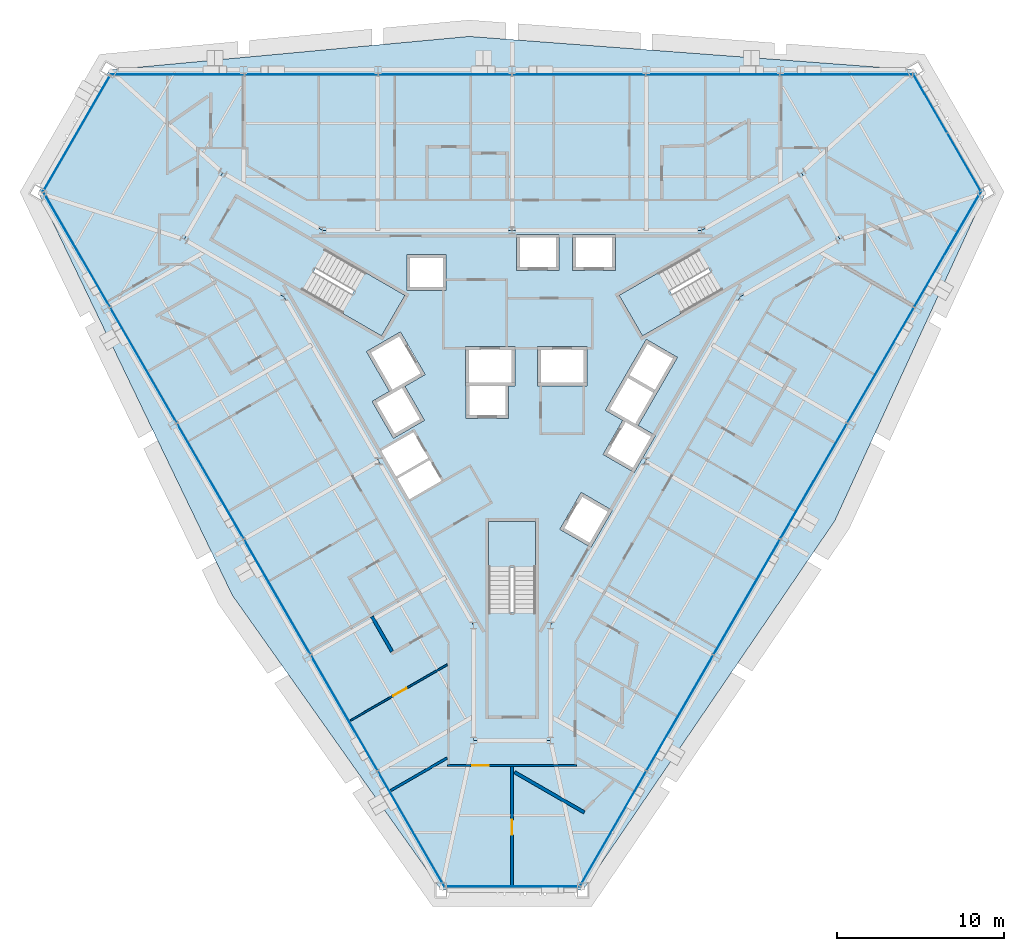
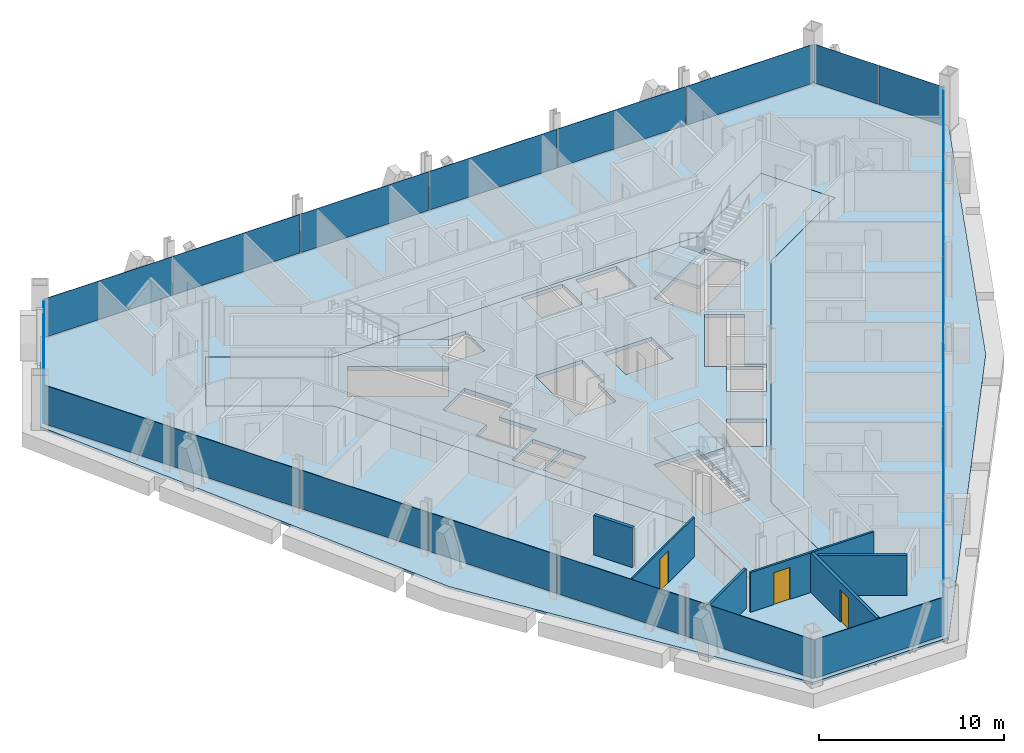
# One storey, part 9 of 16: 22 plates, 6 walls, 5 slabs, 3 doors, 3 openings, 9 elements without a shape of their own.
"""IFC4 building model written with IfcOpenShell, lengths in metres."""

from ifc_helpers import new_model, si_unit, direction, frame, frame_2d, origin, origin_2d, place, context, subcontext, project, spatial, polyline, rectangle, outline, extrude, material, layer, layer_set, type_object, element, fill, aggregate, save


model = new_model("IFC4")

# Units and contexts
model_context = context("Model", 3, precision=1e-05, world=origin(), true_north=direction((0.0, 1.0)))
body_context = subcontext(model_context, "Body", "Model", "MODEL_VIEW")
ifc_project = project(units=[si_unit("LENGTHUNIT", "METRE"), si_unit("AREAUNIT", "SQUARE_METRE"), si_unit("VOLUMEUNIT", "CUBIC_METRE"), si_unit("PLANEANGLEUNIT", "RADIAN"), si_unit("MASSUNIT", "GRAM", prefix="KILO")], contexts=[model_context])

# Site, building, storey
site_placement = place(None, origin())
site = spatial("IfcSite", under=ifc_project, at=site_placement, CompositionType="ELEMENT")
building_placement = place(site_placement, origin())
building = spatial("IfcBuilding", under=site, at=building_placement, Name="Verrane Prism Tower", CompositionType="ELEMENT")
storey_placement = place(building_placement, frame((0.0, 0.0, 110.800048828125)))
storey = spatial("IfcBuildingStorey", under=building, at=storey_placement, Name="L26", CompositionType="ELEMENT", Elevation=110.800048828125)

# Slabs
ifc_material_1 = material(Name="Concrete C35/45", Category="concrete")
ifc_layer_1 = layer(ifc_material_1, 0.159912109375)
ifc_layer_set_1 = layer_set([ifc_layer_1], Name="Composite floor slab")
slab_type_1 = type_object("IfcSlabType", Name="Composite floor slab", PredefinedType="FLOOR", material=ifc_layer_set_1)
slab_1_placement = place(storey_placement, frame((0.0, 0.0, -0.16015625)))
element("IfcSlab", 1, at=slab_1_placement, inside=storey, type_object=slab_type_1, Name="Floor slab L26", PredefinedType="FLOOR", context=body_context, shape_type="SweptSolid", body=[
    extrude(outline(polyline([(19.288330078125, -8.171875), (4.239013671875, -30.23779296875), (-4.239013671875, -30.23779296875), (-16.72119140625, -12.6181640625), (-28.30615234375, 11.44775390625), (-24.067138671875, 18.7900390625), (-2.567138671875, 20.7900390625), (24.067138671875, 18.7900390625), (28.30615234375, 11.44775390625), (19.288330078125, -8.171875)]), holes=[polyline([(19.60009765625, 8.659912109375), (17.300048828125, 12.639892578125), (11.330078125, 9.199951171875), (0.0, 9.199951171875), (-11.330078125, 9.199951171875), (-17.300048828125, 12.639892578125), (-19.60009765625, 8.659912109375), (-13.6298828125, 5.219970703125), (-7.969970703125, -4.60009765625), (-2.300048828125, -14.419921875), (-2.300048828125, -21.300048828125), (2.300048828125, -21.300048828125), (2.300048828125, -14.419921875), (7.969970703125, -4.60009765625), (13.6298828125, 5.219970703125), (19.60009765625, 8.659912109375)])]), origin(), (0.0, 0.0, 1.0), 0.16015625),
])
ifc_material_2 = material(Name="Concrete C40/50", Category="concrete")
ifc_layer_2 = layer(ifc_material_2, 0.25)
ifc_layer_set_2 = layer_set([ifc_layer_2], Name="Core floor slab 250 concrete C40/50")
slab_type_2 = type_object("IfcSlabType", Name="Core floor slab 250 concrete C40/50", PredefinedType="FLOOR", material=ifc_layer_set_2)
slab_2_placement = place(storey_placement, frame((0.0, 0.0, -0.25)))
element("IfcSlab", 2, at=slab_2_placement, inside=storey, type_object=slab_type_2, Name="Core floor L26", PredefinedType="FLOOR", context=body_context, shape_type="SweptSolid", body=[
    extrude(outline(polyline([(13.6298828125, 5.219970703125), (19.60009765625, 8.659912109375), (17.300048828125, 12.639892578125), (11.330078125, 9.199951171875), (0.0, 9.199951171875), (-11.330078125, 9.199951171875), (-17.300048828125, 12.639892578125), (-19.60009765625, 8.659912109375), (-13.6298828125, 5.219970703125), (-7.969970703125, -4.60009765625), (-2.300048828125, -14.419921875), (-2.300048828125, -21.300048828125), (2.300048828125, -21.300048828125), (2.300048828125, -14.419921875), (7.969970703125, -4.60009765625), (13.6298828125, 5.219970703125)]), holes=[polyline([(1.39990234375, -8.199951171875), (1.39990234375, -13.639892578125), (-1.39990234375, -13.639892578125), (-1.39990234375, -8.199951171875), (1.39990234375, -8.199951171875)]), polyline([(-4.215087890625, -5.77099609375), (-6.14208984375, -6.883056640625), (-6.85400390625, -5.64599609375), (-4.928955078125, -4.533935546875), (-4.215087890625, -5.77099609375)]), polyline([(-5.0029296875, -4.404052734375), (-6.929931640625, -5.51708984375), (-7.819091796875, -3.97705078125), (-5.89306640625, -2.864013671875), (-5.0029296875, -4.404052734375)]), polyline([(0.1650390625, 2.25), (0.1650390625, -0.10009765625), (-0.205078125, -0.10009765625), (-0.205078125, -2.050048828125), (-2.7548828125, -2.050048828125), (-2.7548828125, -0.10009765625), (-2.784912109375, -0.10009765625), (-2.784912109375, 2.25), (0.1650390625, 2.25)]), polyline([(-12.512939453125, 5.60791015625), (-11.113037109375, 8.031982421875), (-6.40087890625, 5.31201171875), (-7.801025390625, 2.887939453125), (-12.512939453125, 5.60791015625)]), polyline([(-6.284912109375, 5.610107421875), (-6.284912109375, 7.760009765625), (-3.93505859375, 7.760009765625), (-3.93505859375, 5.610107421875), (-6.284912109375, 5.610107421875)]), polyline([(4.717041015625, -9.75), (2.85498046875, -8.675048828125), (4.1298828125, -6.466064453125), (5.991943359375, -7.541015625), (4.717041015625, -9.75)]), polyline([(8.303955078125, -3.136962890625), (5.575927734375, -1.56201171875), (8.02587890625, 2.680908203125), (9.887939453125, 1.60595703125), (7.5380859375, -2.464111328125), (8.576904296875, -3.06396484375), (7.302001953125, -5.27197265625), (5.43994140625, -4.197021484375), (6.614990234375, -2.162109375), (8.303955078125, -3.136962890625)]), polyline([(1.52490234375, -0.10009765625), (1.52490234375, 2.25), (4.47509765625, 2.25), (4.47509765625, -0.10009765625), (1.52490234375, -0.10009765625)]), polyline([(6.40087890625, 5.31201171875), (11.113037109375, 8.031982421875), (12.512939453125, 5.60791015625), (7.801025390625, 2.887939453125), (6.40087890625, 5.31201171875)]), polyline([(0.264892578125, 6.81005859375), (0.264892578125, 8.9599609375), (2.81494140625, 8.9599609375), (2.81494140625, 6.81005859375), (0.264892578125, 6.81005859375)]), polyline([(3.625, 6.81005859375), (3.625, 8.9599609375), (6.175048828125, 8.9599609375), (6.175048828125, 6.81005859375), (3.625, 6.81005859375)]), polyline([(-5.23095703125, -2.159912109375), (-7.093017578125, -3.235107421875), (-8.367919921875, -1.02587890625), (-7.3291015625, -0.426025390625), (-8.7041015625, 1.955078125), (-6.66796875, 3.1298828125), (-5.193115234375, 0.574951171875), (-6.406005859375, -0.125), (-5.23095703125, -2.159912109375)])]), origin(), (0.0, 0.0, 1.0), 0.25),
])

# Curtain wall, plates
ifc_material_3 = material(Name="Aluminium framed insulated glazing", Category="aluminium")
curtain_wall_type_1 = type_object("IfcCurtainWallType", Name="Curtain wall CW-C 4200 module", PredefinedType="NOTDEFINED", material=ifc_material_3)
curtain_wall_1_placement = place(storey_placement, origin())
curtain_wall_1 = element("IfcCurtainWall", 3, at=curtain_wall_1_placement, inside=storey, type_object=curtain_wall_type_1, Name="Glazed curtain wall north-east corner L26", PredefinedType="NOTDEFINED")
ifc_material_4 = material(Name="Low-iron insulating glass unit", Category="glass")
ifc_layer_3 = layer(ifc_material_4, 0.02392578125)
ifc_layer_set_3 = layer_set([ifc_layer_3], Name="Glazing panel IGU 24")
plate_type_1 = type_object("IfcPlateType", Name="Glazing panel IGU 24", PredefinedType="CURTAIN_PANEL", material=ifc_layer_set_3)
plate_1_placement = place(storey_placement, frame((27.01318359375, 13.281494140625, 0.0498046875), z_axis=(0.0, 0.0, 1.0), x_axis=(-0.499995693021, 0.866027890405, 0.0)))
plate_1 = element("IfcPlate", 4, at=plate_1_placement, type_object=plate_type_1, Name="CW24.1 panel 1", PredefinedType="CURTAIN_PANEL", context=body_context, shape_type="SweptSolid", body=[
    extrude(rectangle(XDim=3.958984375, YDim=0.02392578125, at=origin_2d()), origin(), (0.0, 0.0, 1.0), 2.56298828125),
])
plate_2_placement = place(storey_placement, frame((24.996337890625, 16.775146484375, 0.0498046875), z_axis=(0.0, 0.0, 1.0), x_axis=(-0.499995693021, 0.866027890405, 0.0)))
plate_2 = element("IfcPlate", 5, at=plate_2_placement, type_object=plate_type_1, Name="CW24.1 panel 2", PredefinedType="CURTAIN_PANEL", context=body_context, shape_type="SweptSolid", body=[
    extrude(rectangle(XDim=4.009033203125, YDim=0.02392578125, at=origin_2d()), origin(), (0.0, 0.0, 1.0), 2.56298828125),
])
aggregate(curtain_wall_1, [plate_1, plate_2])

ifc_material_5 = material(Name="Aluminium framed insulated glazing", Category="aluminium")
curtain_wall_type_2 = type_object("IfcCurtainWallType", Name="Curtain wall CW-A 8400 module", PredefinedType="NOTDEFINED", material=ifc_material_5)
curtain_wall_2_placement = place(storey_placement, origin())
curtain_wall_2 = element("IfcCurtainWall", 6, at=curtain_wall_2_placement, inside=storey, type_object=curtain_wall_type_2, Name="Glazed curtain wall north face L26", PredefinedType="NOTDEFINED")
ifc_material_6 = material(Name="Low-iron insulating glass unit", Category="glass")
ifc_layer_4 = layer(ifc_material_6, 0.031982421875)
ifc_layer_set_4 = layer_set([ifc_layer_4], Name="Glazing panel IGU 32")
plate_type_2 = type_object("IfcPlateType", Name="Glazing panel IGU 32", PredefinedType="CURTAIN_PANEL", material=ifc_layer_set_4)
plate_3_placement = place(storey_placement, frame((19.9775390625, 18.510986328125, 0.06982421875), z_axis=(0.0, 0.0, 1.0), x_axis=(-1.0, 0.0, 0.0)))
plate_3 = element("IfcPlate", 7, at=plate_3_placement, type_object=plate_type_2, Name="CW24.2 panel 1", PredefinedType="CURTAIN_PANEL", context=body_context, shape_type="SweptSolid", body=[
    extrude(rectangle(XDim=7.89306640625, YDim=0.031982421875, at=origin_2d()), origin(), (0.0, 0.0, 1.0), 2.54296875),
])
plate_4_placement = place(storey_placement, frame((11.9970703125, 18.510986328125, 0.06982421875), z_axis=(0.0, 0.0, 1.0), x_axis=(-1.0, 0.0, 0.0)))
plate_4 = element("IfcPlate", 8, at=plate_4_placement, type_object=plate_type_2, Name="CW24.2 panel 2", PredefinedType="CURTAIN_PANEL", context=body_context, shape_type="SweptSolid", body=[
    extrude(rectangle(XDim=7.927978515625, YDim=0.031982421875, at=origin_2d()), origin(), (0.0, 0.0, 1.0), 2.54296875),
])
plate_5_placement = place(storey_placement, frame((3.9990234375, 18.510986328125, 0.06982421875), z_axis=(0.0, 0.0, 1.0), x_axis=(-1.0, 0.0, 0.0)))
plate_5 = element("IfcPlate", 9, at=plate_5_placement, type_object=plate_type_2, Name="CW24.2 panel 3", PredefinedType="CURTAIN_PANEL", context=body_context, shape_type="SweptSolid", body=[
    extrude(rectangle(XDim=7.927978515625, YDim=0.031982421875, at=origin_2d()), origin(), (0.0, 0.0, 1.0), 2.54296875),
])
plate_6_placement = place(storey_placement, frame((-3.9990234375, 18.510986328125, 0.06982421875), z_axis=(0.0, 0.0, 1.0), x_axis=(-1.0, 0.0, 0.0)))
plate_6 = element("IfcPlate", 10, at=plate_6_placement, type_object=plate_type_2, Name="CW24.2 panel 4", PredefinedType="CURTAIN_PANEL", context=body_context, shape_type="SweptSolid", body=[
    extrude(rectangle(XDim=7.927978515625, YDim=0.031982421875, at=origin_2d()), origin(), (0.0, 0.0, 1.0), 2.54296875),
])
plate_7_placement = place(storey_placement, frame((-11.9970703125, 18.510986328125, 0.06982421875), z_axis=(0.0, 0.0, 1.0), x_axis=(-1.0, 0.0, 0.0)))
plate_7 = element("IfcPlate", 11, at=plate_7_placement, type_object=plate_type_2, Name="CW24.2 panel 5", PredefinedType="CURTAIN_PANEL", context=body_context, shape_type="SweptSolid", body=[
    extrude(rectangle(XDim=7.927978515625, YDim=0.031982421875, at=origin_2d()), origin(), (0.0, 0.0, 1.0), 2.54296875),
])
plate_8_placement = place(storey_placement, frame((-20.0126953125, 18.510986328125, 0.06982421875), z_axis=(0.0, 0.0, 1.0), x_axis=(-1.0, 0.0, 0.0)))
plate_8 = element("IfcPlate", 12, at=plate_8_placement, type_object=plate_type_2, Name="CW24.2 panel 6", PredefinedType="CURTAIN_PANEL", context=body_context, shape_type="SweptSolid", body=[
    extrude(rectangle(XDim=7.963134765625, YDim=0.031982421875, at=origin_2d()), origin(), (0.0, 0.0, 1.0), 2.54296875),
])
aggregate(curtain_wall_2, [plate_3, plate_4, plate_5, plate_6, plate_7, plate_8])

# Curtain wall, plate
curtain_wall_3_placement = place(storey_placement, origin())
curtain_wall_3 = element("IfcCurtainWall", 13, at=curtain_wall_3_placement, inside=storey, type_object=curtain_wall_type_2, Name="Glazed curtain wall north-west corner L26", PredefinedType="NOTDEFINED")
plate_9_placement = place(storey_placement, frame((-26.028564453125, 14.9873046875, 0.06982421875), z_axis=(0.0, 0.0, 1.0), x_axis=(-0.499995693021, -0.866027890405, 0.0)))
plate_9 = element("IfcPlate", 14, at=plate_9_placement, type_object=plate_type_2, Name="CW24.3 panel 1", PredefinedType="CURTAIN_PANEL", context=body_context, shape_type="SweptSolid", body=[
    extrude(rectangle(XDim=7.997802734375, YDim=0.031982421875, at=origin_2d()), origin(), (0.0, 0.0, 1.0), 2.54296875),
])
aggregate(curtain_wall_3, [plate_9])

# Curtain wall, plates
curtain_wall_4_placement = place(storey_placement, origin())
curtain_wall_4 = element("IfcCurtainWall", 15, at=curtain_wall_4_placement, inside=storey, type_object=curtain_wall_type_2, Name="Glazed curtain wall south-west face L26", PredefinedType="NOTDEFINED")
plate_10_placement = place(storey_placement, frame((-26.019775390625, 8.045654296875, 0.06982421875), z_axis=(0.0, 0.0, 1.0), x_axis=(0.500000002539, -0.866025402318, 0.0)))
plate_10 = element("IfcPlate", 16, at=plate_10_placement, type_object=plate_type_2, Name="CW24.4 panel 1", PredefinedType="CURTAIN_PANEL", context=body_context, shape_type="SweptSolid", body=[
    extrude(rectangle(XDim=7.89306640625, YDim=0.031982421875, at=origin_2d()), origin(), (0.0, 0.0, 1.0), 2.54296875),
])
plate_11_placement = place(storey_placement, frame((-22.029541015625, 1.13427734375, 0.06982421875), z_axis=(0.0, 0.0, 1.0), x_axis=(0.500000002539, -0.866025402318, 0.0)))
plate_11 = element("IfcPlate", 17, at=plate_11_placement, type_object=plate_type_2, Name="CW24.4 panel 2", PredefinedType="CURTAIN_PANEL", context=body_context, shape_type="SweptSolid", body=[
    extrude(rectangle(XDim=7.927978515625, YDim=0.031982421875, at=origin_2d()), origin(), (0.0, 0.0, 1.0), 2.54296875),
])
plate_12_placement = place(storey_placement, frame((-18.030517578125, -5.792236328125, 0.06982421875), z_axis=(0.0, 0.0, 1.0), x_axis=(0.500000002539, -0.866025402318, 0.0)))
plate_12 = element("IfcPlate", 18, at=plate_12_placement, type_object=plate_type_2, Name="CW24.4 panel 3", PredefinedType="CURTAIN_PANEL", context=body_context, shape_type="SweptSolid", body=[
    extrude(rectangle(XDim=7.927978515625, YDim=0.031982421875, at=origin_2d()), origin(), (0.0, 0.0, 1.0), 2.54296875),
])
plate_13_placement = place(storey_placement, frame((-14.031494140625, -12.71875, 0.06982421875), z_axis=(0.0, 0.0, 1.0), x_axis=(0.500000002539, -0.866025402318, 0.0)))
plate_13 = element("IfcPlate", 19, at=plate_13_placement, type_object=plate_type_2, Name="CW24.4 panel 4", PredefinedType="CURTAIN_PANEL", context=body_context, shape_type="SweptSolid", body=[
    extrude(rectangle(XDim=7.927978515625, YDim=0.031982421875, at=origin_2d()), origin(), (0.0, 0.0, 1.0), 2.54296875),
])
plate_14_placement = place(storey_placement, frame((-10.032470703125, -19.645263671875, 0.06982421875), z_axis=(0.0, 0.0, 1.0), x_axis=(0.500000002539, -0.866025402318, 0.0)))
plate_14 = element("IfcPlate", 20, at=plate_14_placement, type_object=plate_type_2, Name="CW24.4 panel 5", PredefinedType="CURTAIN_PANEL", context=body_context, shape_type="SweptSolid", body=[
    extrude(rectangle(XDim=7.927978515625, YDim=0.031982421875, at=origin_2d()), origin(), (0.0, 0.0, 1.0), 2.54296875),
])
plate_15_placement = place(storey_placement, frame((-6.024658203125, -26.5869140625, 0.06982421875), z_axis=(0.0, 0.0, 1.0), x_axis=(0.500000002539, -0.866025402318, 0.0)))
plate_15 = element("IfcPlate", 21, at=plate_15_placement, type_object=plate_type_2, Name="CW24.4 panel 6", PredefinedType="CURTAIN_PANEL", context=body_context, shape_type="SweptSolid", body=[
    extrude(rectangle(XDim=7.963134765625, YDim=0.031982421875, at=origin_2d()), origin(), (0.0, 0.0, 1.0), 2.54296875),
])
aggregate(curtain_wall_4, [plate_10, plate_11, plate_12, plate_13, plate_14, plate_15])

# Curtain wall, plate
curtain_wall_5_placement = place(storey_placement, origin())
curtain_wall_5 = element("IfcCurtainWall", 22, at=curtain_wall_5_placement, inside=storey, type_object=curtain_wall_type_2, Name="Glazed curtain wall south corner L26", PredefinedType="NOTDEFINED")
plate_16_placement = place(storey_placement, frame((0.034912109375, -30.034912109375, 0.06982421875), z_axis=(0.0, 0.0, 1.0), x_axis=(1.0, 0.0, 0.0)))
plate_16 = element("IfcPlate", 23, at=plate_16_placement, type_object=plate_type_2, Name="CW24.5 panel 1", PredefinedType="CURTAIN_PANEL", context=body_context, shape_type="SweptSolid", body=[
    extrude(rectangle(XDim=7.997802734375, YDim=0.031982421875, at=origin_2d()), origin(), (0.0, 0.0, 1.0), 2.54296875),
])
aggregate(curtain_wall_5, [plate_16])

# Curtain wall, plates
curtain_wall_6_placement = place(storey_placement, origin())
curtain_wall_6 = element("IfcCurtainWall", 24, at=curtain_wall_6_placement, inside=storey, type_object=curtain_wall_type_2, Name="Glazed curtain wall south-east face L26", PredefinedType="NOTDEFINED")
plate_17_placement = place(storey_placement, frame((6.042236328125, -26.556640625, 0.06982421875), z_axis=(0.0, 0.0, 1.0), x_axis=(0.500000002539, 0.866025402318, 0.0)))
plate_17 = element("IfcPlate", 25, at=plate_17_placement, type_object=plate_type_2, Name="CW24.6 panel 1", PredefinedType="CURTAIN_PANEL", context=body_context, shape_type="SweptSolid", body=[
    extrude(rectangle(XDim=7.89306640625, YDim=0.031982421875, at=origin_2d()), origin(), (0.0, 0.0, 1.0), 2.54296875),
])
plate_18_placement = place(storey_placement, frame((10.032470703125, -19.645263671875, 0.06982421875), z_axis=(0.0, 0.0, 1.0), x_axis=(0.500000002539, 0.866025402318, 0.0)))
plate_18 = element("IfcPlate", 26, at=plate_18_placement, type_object=plate_type_2, Name="CW24.6 panel 2", PredefinedType="CURTAIN_PANEL", context=body_context, shape_type="SweptSolid", body=[
    extrude(rectangle(XDim=7.927978515625, YDim=0.031982421875, at=origin_2d()), origin(), (0.0, 0.0, 1.0), 2.54296875),
])
plate_19_placement = place(storey_placement, frame((14.031494140625, -12.71875, 0.06982421875), z_axis=(0.0, 0.0, 1.0), x_axis=(0.500000002539, 0.866025402318, 0.0)))
plate_19 = element("IfcPlate", 27, at=plate_19_placement, type_object=plate_type_2, Name="CW24.6 panel 3", PredefinedType="CURTAIN_PANEL", context=body_context, shape_type="SweptSolid", body=[
    extrude(rectangle(XDim=7.927978515625, YDim=0.031982421875, at=origin_2d()), origin(), (0.0, 0.0, 1.0), 2.54296875),
])
plate_20_placement = place(storey_placement, frame((18.030517578125, -5.792236328125, 0.06982421875), z_axis=(0.0, 0.0, 1.0), x_axis=(0.500000002539, 0.866025402318, 0.0)))
plate_20 = element("IfcPlate", 28, at=plate_20_placement, type_object=plate_type_2, Name="CW24.6 panel 4", PredefinedType="CURTAIN_PANEL", context=body_context, shape_type="SweptSolid", body=[
    extrude(rectangle(XDim=7.927978515625, YDim=0.031982421875, at=origin_2d()), origin(), (0.0, 0.0, 1.0), 2.54296875),
])
plate_21_placement = place(storey_placement, frame((22.029541015625, 1.13427734375, 0.06982421875), z_axis=(0.0, 0.0, 1.0), x_axis=(0.500000002539, 0.866025402318, 0.0)))
plate_21 = element("IfcPlate", 29, at=plate_21_placement, type_object=plate_type_2, Name="CW24.6 panel 5", PredefinedType="CURTAIN_PANEL", context=body_context, shape_type="SweptSolid", body=[
    extrude(rectangle(XDim=7.927978515625, YDim=0.031982421875, at=origin_2d()), origin(), (0.0, 0.0, 1.0), 2.54296875),
])
plate_22_placement = place(storey_placement, frame((26.037353515625, 8.075927734375, 0.06982421875), z_axis=(0.0, 0.0, 1.0), x_axis=(0.500000002539, 0.866025402318, 0.0)))
plate_22 = element("IfcPlate", 30, at=plate_22_placement, type_object=plate_type_2, Name="CW24.6 panel 6", PredefinedType="CURTAIN_PANEL", context=body_context, shape_type="SweptSolid", body=[
    extrude(rectangle(XDim=7.963134765625, YDim=0.031982421875, at=origin_2d()), origin(), (0.0, 0.0, 1.0), 2.54296875),
])
aggregate(curtain_wall_6, [plate_17, plate_18, plate_19, plate_20, plate_21, plate_22])

# Stair, slab
ifc_material_7 = material(Name="Concrete C40/50", Category="concrete")
stair_type = type_object("IfcStairType", Name="Exit stair 1300 dog-leg precast concrete C40/50", PredefinedType="HALF_TURN_STAIR", material=ifc_material_7)
stair_1_placement = place(storey_placement, origin())
stair_1 = element("IfcStair", 31, at=stair_1_placement, inside=storey, type_object=stair_type, Name="Stair 1 L26", PredefinedType="HALF_TURN_STAIR")
ifc_material_8 = material(Name="Concrete C40/50", Category="concrete")
ifc_layer_5 = layer(ifc_material_8, 0.199951171875)
ifc_layer_set_5 = layer_set([ifc_layer_5], Name="Stair landing 200 precast concrete C40/50")
slab_type_3 = type_object("IfcSlabType", Name="Stair landing 200 precast concrete C40/50", PredefinedType="LANDING", material=ifc_layer_set_5)
slab_3_placement = place(storey_placement, frame((0.0, 0.0, 1.599853515625)))
slab_3 = element("IfcSlab", 32, at=slab_3_placement, type_object=slab_type_3, Name="Stair 1 landing 1", PredefinedType="LANDING", context=body_context, shape_type="SweptSolid", body=[
    extrude(outline(polyline([(8.791748046875, 6.6923828125), (6.4013671875, 5.3125), (7.801513671875, 2.887451171875), (10.191650390625, 4.267578125), (8.791748046875, 6.6923828125)])), origin(), (0.0, 0.0, 1.0), 0.2001953125),
])
aggregate(stair_1, [slab_3])

stair_2_placement = place(storey_placement, origin())
stair_2 = element("IfcStair", 33, at=stair_2_placement, inside=storey, type_object=stair_type, Name="Stair 2 L26", PredefinedType="HALF_TURN_STAIR")
slab_4_placement = place(storey_placement, frame((0.0, 0.0, 1.599853515625)))
slab_4 = element("IfcSlab", 34, at=slab_4_placement, type_object=slab_type_3, Name="Stair 2 landing 1", PredefinedType="LANDING", context=body_context, shape_type="SweptSolid", body=[
    extrude(outline(polyline([(-10.191650390625, 4.267578125), (-7.801513671875, 2.887451171875), (-6.4013671875, 5.3125), (-8.791748046875, 6.6923828125), (-10.191650390625, 4.267578125)])), origin(), (0.0, 0.0, 1.0), 0.2001953125),
])
aggregate(stair_2, [slab_4])

stair_3_placement = place(storey_placement, origin())
stair_3 = element("IfcStair", 35, at=stair_3_placement, inside=storey, type_object=stair_type, Name="Stair 3 L26", PredefinedType="HALF_TURN_STAIR")
slab_5_placement = place(storey_placement, frame((0.0, 0.0, 1.599853515625)))
slab_5 = element("IfcSlab", 36, at=slab_5_placement, type_object=slab_type_3, Name="Stair 3 landing 1", PredefinedType="LANDING", context=body_context, shape_type="SweptSolid", body=[
    extrude(outline(polyline([(1.39990234375, -10.9599609375), (1.39990234375, -8.199951171875), (-1.39990234375, -8.199951171875), (-1.39990234375, -10.9599609375), (1.39990234375, -10.9599609375)])), origin(), (0.0, 0.0, 1.0), 0.2001953125),
])
aggregate(stair_3, [slab_5])

# Wall, opening, door
ifc_material_9 = material(Name="Gypsum board partition", Category="other")
ifc_layer_6 = layer(ifc_material_9, 0.10009765625)
ifc_layer_set_6 = layer_set([ifc_layer_6], Name="PW-100 room partition")
wall_type_1 = type_object("IfcWallType", Name="PW-100 room partition", PredefinedType="PARTITIONING", material=ifc_layer_set_6)
wall_1_placement = place(storey_placement, frame((-9.6572265625, -20.102783203125, 0.0), z_axis=(0.0, 0.0, 1.0), x_axis=(0.865979781901, 0.500079011097, 0.0)))
wall_1 = element("IfcWall", 37, at=wall_1_placement, inside=storey, type_object=wall_type_1, Name="Room partition 030", PredefinedType="PARTITIONING", context=body_context, shape_type="SweptSolid", body=[
    extrude(rectangle(XDim=6.677734375, YDim=0.10009765625, at=frame_2d((3.3388671875, 0.0))), origin(), (0.0, 0.0, 1.0), 2.613037109375),
])
opening_1_placement = place(wall_1_placement, frame((2.953369140625, 0.0, 0.0)))
opening_1 = element("IfcOpeningElement", 38, at=opening_1_placement, cuts=wall_1, Name="Opening D24038", PredefinedType="OPENING", context=body_context, shape_type="SweptSolid", body=[
    extrude(rectangle(XDim=0.89990234375, YDim=2.10009765625, at=frame_2d((0.449951171875, 1.050048828125))), frame((0.0, 0.06005859375, 0.0), z_axis=(0.0, -1.0, 0.0), x_axis=(1.0, 0.0, 0.0)), (0.0, 0.0, 1.0), 0.1201171875),
])
ifc_material_10 = material(Name="Timber veneered door leaf", Category="wood")
door_type_1 = type_object("IfcDoorType", Name="DR-900x2100 single leaf inner", OperationType="NOTDEFINED", PredefinedType="DOOR", material=ifc_material_10)
door_1_placement = place(opening_1_placement, origin())
door_1 = element("IfcDoor", 39, at=door_1_placement, inside=storey, type_object=door_type_1, Name="Suite Living Room door", OperationType="SINGLE_SWING_RIGHT", OverallHeight=2.10009765625, OverallWidth=0.89990234375, PredefinedType="DOOR", context=body_context, shape_type="SweptSolid", body=[
    extrude(rectangle(XDim=0.89990234375, YDim=2.10009765625, at=frame_2d((0.449951171875, 1.050048828125))), frame((0.0, 0.02490234375, 0.0), z_axis=(0.0, -1.0, 0.0), x_axis=(1.0, 0.0, 0.0)), (0.0, 0.0, 1.0), 0.050048828125),
])
fill(opening_1, door_1)

ifc_material_11 = material(Name="Gypsum board partition", Category="other")
ifc_layer_7 = layer(ifc_material_11, 0.125)
ifc_layer_set_7 = layer_set([ifc_layer_7], Name="PW-125 corridor wall 1 h")
wall_type_2 = type_object("IfcWallType", Name="PW-125 corridor wall 1 h", PredefinedType="PARTITIONING", material=ifc_layer_set_7)
wall_2_placement = place(storey_placement, frame((3.849609375, -22.787109375, 0.0), z_axis=(0.0, 0.0, 1.0), x_axis=(-1.0, 0.0, 0.0)))
wall_2 = element("IfcWall", 40, at=wall_2_placement, inside=storey, type_object=wall_type_2, Name="Corridor wall 038", PredefinedType="PARTITIONING", context=body_context, shape_type="SweptSolid", body=[
    extrude(rectangle(XDim=7.69921875, YDim=0.125, at=frame_2d((3.849609375, 0.0))), origin(), (0.0, 0.0, 1.0), 2.613037109375),
])
opening_2_placement = place(wall_2_placement, frame((5.236572265625, 0.0, 0.0)))
opening_2 = element("IfcOpeningElement", 41, at=opening_2_placement, cuts=wall_2, Name="Opening D24040", PredefinedType="OPENING", context=body_context, shape_type="SweptSolid", body=[
    extrude(rectangle(XDim=1.0, YDim=2.10009765625, at=frame_2d((0.5, 1.050048828125))), frame((0.0, 0.072509765625, 0.0), z_axis=(0.0, -1.0, 0.0), x_axis=(1.0, 0.0, 0.0)), (0.0, 0.0, 1.0), 0.14501953125),
])
ifc_material_12 = material(Name="Timber veneered door leaf", Category="wood")
door_type_2 = type_object("IfcDoorType", Name="DR-1000x2100 FD20 single leaf unit", OperationType="NOTDEFINED", PredefinedType="DOOR", material=ifc_material_12)
door_2_placement = place(opening_2_placement, origin())
door_2 = element("IfcDoor", 42, at=door_2_placement, inside=storey, type_object=door_type_2, Name="Suite Living Room door", OperationType="SINGLE_SWING_LEFT", OverallHeight=2.10009765625, OverallWidth=1.0, PredefinedType="DOOR", context=body_context, shape_type="SweptSolid", body=[
    extrude(rectangle(XDim=1.0, YDim=2.10009765625, at=frame_2d((0.5, 1.050048828125))), frame((0.0, 0.02490234375, 0.0), z_axis=(0.0, -1.0, 0.0), x_axis=(1.0, 0.0, 0.0)), (0.0, 0.0, 1.0), 0.050048828125),
])
fill(opening_2, door_2)

# Walls
ifc_material_13 = material(Name="Gypsum board partition", Category="other")
ifc_layer_8 = layer(ifc_material_13, 0.14990234375)
ifc_layer_set_8 = layer_set([ifc_layer_8], Name="PW-150 demising wall 1 h")
wall_type_3 = type_object("IfcWallType", Name="PW-150 demising wall 1 h", PredefinedType="PARTITIONING", material=ifc_layer_set_8)
wall_3_placement = place(storey_placement, frame((-7.24365234375, -24.282958984375, 0.0), z_axis=(0.0, 0.0, 1.0), x_axis=(0.865997824551, 0.500047765591, 0.0)))
element("IfcWall", 43, at=wall_3_placement, inside=storey, type_object=wall_type_3, Name="Demising wall 032", PredefinedType="PARTITIONING", context=body_context, shape_type="SweptSolid", body=[
    extrude(rectangle(XDim=3.8759765625, YDim=0.14990234375, at=frame_2d((1.93798828125, 0.0))), origin(), (0.0, 0.0, 1.0), 2.613037109375),
])
ifc_material_14 = material(Name="Gypsum board partition", Category="other")
ifc_layer_9 = layer(ifc_material_14, 0.199951171875)
ifc_layer_set_9 = layer_set([ifc_layer_9], Name="PW-200 plumbing wall")
wall_type_4 = type_object("IfcWallType", Name="PW-200 plumbing wall", PredefinedType="PARTITIONING", material=ifc_layer_set_9)
wall_4_placement = place(storey_placement, frame((-8.380615234375, -13.884033203125, 0.0), z_axis=(0.0, 0.0, 1.0), x_axis=(0.499795219151, -0.866143601786, 0.0)))
element("IfcWall", 44, at=wall_4_placement, inside=storey, type_object=wall_type_4, Name="Plumbing wall 031", PredefinedType="PARTITIONING", context=body_context, shape_type="SweptSolid", body=[
    extrude(rectangle(XDim=2.42041015625, YDim=0.199951171875, at=frame_2d((1.210205078125, 0.0))), origin(), (0.0, 0.0, 1.0), 2.613037109375),
])

# Wall, opening, door
wall_5_placement = place(storey_placement, frame((0.0, -22.849609375, 0.0), z_axis=(0.0, 0.0, 1.0), x_axis=(0.0, -1.0, 0.0)))
wall_5 = element("IfcWall", 45, at=wall_5_placement, inside=storey, type_object=wall_type_4, Name="Plumbing wall 042", PredefinedType="PARTITIONING", context=body_context, shape_type="SweptSolid", body=[
    extrude(rectangle(XDim=7.08935546875, YDim=0.199951171875, at=frame_2d((3.544677734375, 0.0))), origin(), (0.0, 0.0, 1.0), 2.613037109375),
])
opening_3_placement = place(wall_5_placement, frame((3.185546875, 0.0, 0.0)))
opening_3 = element("IfcOpeningElement", 46, at=opening_3_placement, cuts=wall_5, Name="Opening D24041", PredefinedType="OPENING", context=body_context, shape_type="SweptSolid", body=[
    extrude(rectangle(XDim=0.89990234375, YDim=2.10009765625, at=frame_2d((0.449951171875, 1.050048828125))), frame((0.0, 0.10986328125, 0.0), z_axis=(0.0, -1.0, 0.0), x_axis=(1.0, 0.0, 0.0)), (0.0, 0.0, 1.0), 0.219970703125),
])
door_3_placement = place(opening_3_placement, origin())
door_3 = element("IfcDoor", 47, at=door_3_placement, inside=storey, type_object=door_type_1, Name="Suite Living Room door", OperationType="SINGLE_SWING_RIGHT", OverallHeight=2.10009765625, OverallWidth=0.89990234375, PredefinedType="DOOR", context=body_context, shape_type="SweptSolid", body=[
    extrude(rectangle(XDim=0.89990234375, YDim=2.10009765625, at=frame_2d((0.449951171875, 1.050048828125))), frame((0.0, 0.02490234375, 0.0), z_axis=(0.0, -1.0, 0.0), x_axis=(1.0, 0.0, 0.0)), (0.0, 0.0, 1.0), 0.050048828125),
])
fill(opening_3, door_3)

# Wall
wall_6_placement = place(storey_placement, frame((0.14990234375, -23.189697265625, 0.0), z_axis=(0.0, 0.0, 1.0), x_axis=(0.866061372545, -0.499937695103, 0.0)))
element("IfcWall", 48, at=wall_6_placement, inside=storey, type_object=wall_type_4, Name="Plumbing wall 043", PredefinedType="PARTITIONING", context=body_context, shape_type="SweptSolid", body=[
    extrude(rectangle(XDim=4.81103515625, YDim=0.199951171875, at=frame_2d((2.405517578125, 0.0))), origin(), (0.0, 0.0, 1.0), 2.613037109375),
])

save(model, "model.ifc")
